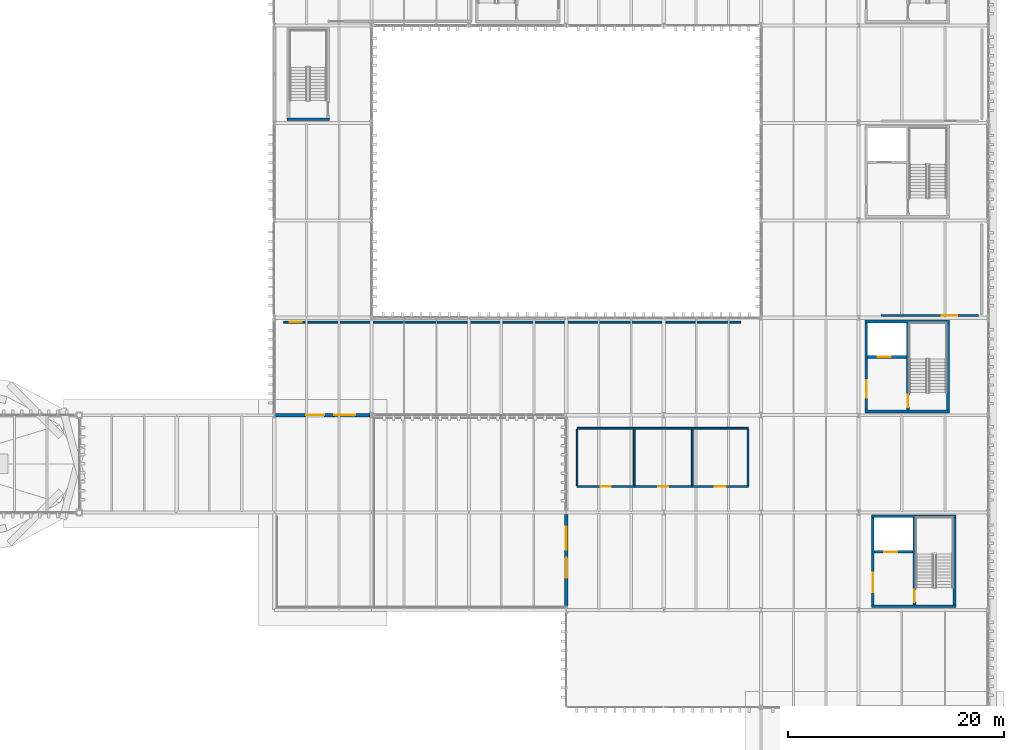
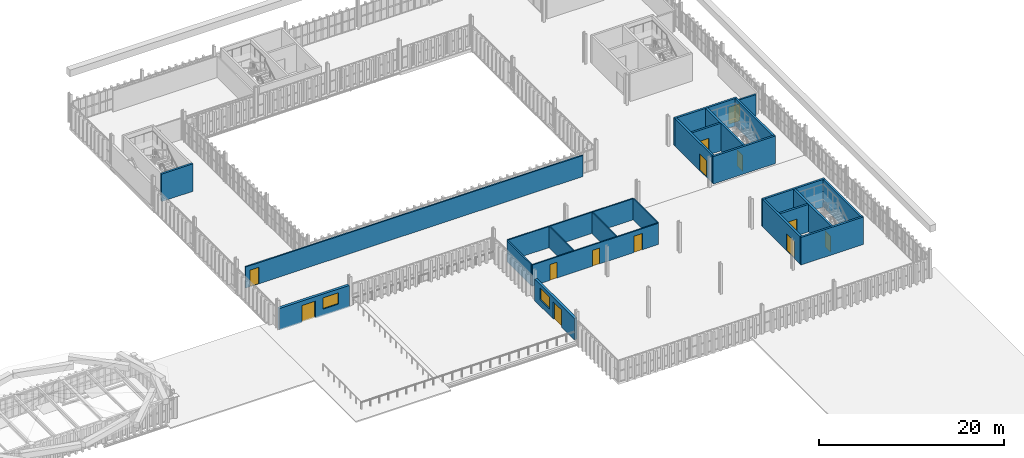
# One storey, part 90 of 102: 23 walls, 13 doors, 2 windows, 15 openings.
"""IFC4 building model written with IfcOpenShell, lengths in metres."""

from ifc_helpers import new_model, si_unit, direction, frame, frame_2d, origin, place, context, subcontext, project, spatial, rectangle, extrude, material, layer, layer_set, type_object, element, fill, save


model = new_model("IFC4")

# Units and contexts
model_context = context("Model", 3, precision=1e-05, world=origin(), true_north=direction((0.0, 1.0)))
body_context = subcontext(model_context, "Body", "Model", "MODEL_VIEW")
ifc_project = project(units=[si_unit("LENGTHUNIT", "METRE"), si_unit("AREAUNIT", "SQUARE_METRE"), si_unit("VOLUMEUNIT", "CUBIC_METRE"), si_unit("PLANEANGLEUNIT", "RADIAN"), si_unit("MASSUNIT", "GRAM", prefix="KILO")], contexts=[model_context])

# Site, building, storey
site_placement = place(None, origin())
site = spatial("IfcSite", under=ifc_project, at=site_placement, CompositionType="ELEMENT")
building_placement = place(site_placement, origin())
building = spatial("IfcBuilding", under=site, at=building_placement, Name="Barlavento Convention Centre", CompositionType="ELEMENT")
storey_placement = place(building_placement, frame((0.0, 0.0, 22.800048828125)))
storey = spatial("IfcBuildingStorey", under=building, at=storey_placement, Name="L04", CompositionType="ELEMENT", Elevation=22.800048828125)

# Wall, openings, door, window
ifc_material_1 = material(Name="Macau dark grey granite cladding on Concrete C40/50", Category="masonry")
ifc_layer_1 = layer(ifc_material_1, 0.320068359375)
ifc_layer_set_1 = layer_set([ifc_layer_1], Name="ARC-WL-EXT-320")
wall_type_1 = type_object("IfcWallType", Name="ARC-WL-EXT-320", PredefinedType="SOLIDWALL", material=ifc_layer_set_1)
wall_1_placement = place(storey_placement, frame((153.0, 36.2451171875, 0.0), z_axis=(0.0, 0.0, 1.0), x_axis=(0.0, 1.0, 0.0)))
wall_1 = element("IfcWall", 1, at=wall_1_placement, inside=storey, type_object=wall_type_1, Name="L04 exterior wall EW01", PredefinedType="SOLIDWALL", context=body_context, shape_type="SweptSolid", body=[
    extrude(rectangle(XDim=8.58984375, YDim=0.320068359375, at=frame_2d((4.294921875, 0.0))), origin(), (0.0, 0.0, 1.0), 2.849853515625),
])
opening_1_placement = place(wall_1_placement, frame((2.715087890625, 0.0, 0.0)))
opening_1 = element("IfcOpeningElement", 2, at=opening_1_placement, cuts=wall_1, Name="Opening TD-401", PredefinedType="OPENING", context=body_context, shape_type="SweptSolid", body=[
    extrude(rectangle(XDim=1.85009765625, YDim=2.300048828125, at=frame_2d((0.925048828125, 1.14990234375))), frame((0.0, 0.169921875, 0.0), z_axis=(0.0, -1.0, 0.0), x_axis=(1.0, 0.0, 0.0)), (0.0, 0.0, 1.0), 0.340087890625),
])
opening_2_placement = place(wall_1_placement, frame((5.31494140625, 0.0, 0.85009765625)))
opening_2 = element("IfcOpeningElement", 3, at=opening_2_placement, cuts=wall_1, Name="Opening WN19", PredefinedType="OPENING", context=body_context, shape_type="SweptSolid", body=[
    extrude(rectangle(XDim=2.14990234375, YDim=1.550048828125, at=frame_2d((1.074951171875, 0.77490234375))), frame((0.0, 0.169921875, 0.0), z_axis=(0.0, -1.0, 0.0), x_axis=(1.0, 0.0, 0.0)), (0.0, 0.0, 1.0), 0.340087890625),
])
ifc_material_2 = material(Name="Anodized aluminium and tempered glass", Category="aluminium")
door_type_1 = type_object("IfcDoorType", Name="ARC-DR-TERR-1850X2300", OperationType="DOUBLE_DOOR_SINGLE_SWING", PredefinedType="DOOR", material=ifc_material_2)
door_1_placement = place(opening_1_placement, origin())
door_1 = element("IfcDoor", 4, at=door_1_placement, inside=storey, type_object=door_type_1, Name="DR-EXT-L04-0062 L04 Dining Terrace access door TD-401", OperationType="DOUBLE_DOOR_SINGLE_SWING", OverallHeight=2.300048828125, OverallWidth=1.85009765625, PredefinedType="DOOR", context=body_context, shape_type="SweptSolid", body=[
    extrude(rectangle(XDim=1.85009765625, YDim=2.300048828125, at=frame_2d((0.925048828125, 1.14990234375))), frame((0.0, 0.02490234375, 0.0), z_axis=(0.0, -1.0, 0.0), x_axis=(1.0, 0.0, 0.0)), (0.0, 0.0, 1.0), 0.050048828125),
])
fill(opening_1, door_1)
ifc_material_3 = material(Name="Double-silver Low-E insulated glass", Category="glass")
window_type_1 = type_object("IfcWindowType", Name="ARC-WN-CONF-2150X1550", PartitioningType="DOUBLE_PANEL_VERTICAL", PredefinedType="WINDOW", material=ifc_material_3)
window_1_placement = place(opening_2_placement, origin())
window_1 = element("IfcWindow", 5, at=window_1_placement, inside=storey, type_object=window_type_1, Name="L04 exterior Low-E window WN19", OverallHeight=1.550048828125, OverallWidth=2.14990234375, PartitioningType="SINGLE_PANEL", PredefinedType="WINDOW", context=body_context, shape_type="SweptSolid", body=[
    extrude(rectangle(XDim=2.14990234375, YDim=1.550048828125, at=frame_2d((1.074951171875, 0.77490234375))), frame((0.0, 0.030029296875, 0.0), z_axis=(0.0, -1.0, 0.0), x_axis=(1.0, 0.0, 0.0)), (0.0, 0.0, 1.0), 0.06005859375),
])
fill(opening_2, window_1)

wall_2_placement = place(storey_placement, frame((126.14501953125, 54.0, 0.0), z_axis=(0.0, 0.0, 1.0), x_axis=(1.0, 0.0, 0.0)))
wall_2 = element("IfcWall", 6, at=wall_2_placement, inside=storey, type_object=wall_type_1, Name="L04 exterior wall EW01", PredefinedType="SOLIDWALL", context=body_context, shape_type="SweptSolid", body=[
    extrude(rectangle(XDim=8.7099609375, YDim=0.320068359375, at=frame_2d((4.35498046875, 0.0))), origin(), (0.0, 0.0, 1.0), 2.849853515625),
])
opening_3_placement = place(wall_2_placement, frame((2.81494140625, 0.0, 0.0)))
opening_3 = element("IfcOpeningElement", 7, at=opening_3_placement, cuts=wall_2, Name="Opening TD-402", PredefinedType="OPENING", context=body_context, shape_type="SweptSolid", body=[
    extrude(rectangle(XDim=1.64990234375, YDim=2.25, at=frame_2d((0.824951171875, 1.125))), frame((0.0, 0.169921875, 0.0), z_axis=(0.0, -1.0, 0.0), x_axis=(1.0, 0.0, 0.0)), (0.0, 0.0, 1.0), 0.340087890625),
])
opening_4_placement = place(wall_2_placement, frame((5.4150390625, 0.0, 0.85009765625)))
opening_4 = element("IfcOpeningElement", 8, at=opening_4_placement, cuts=wall_2, Name="Opening WN20", PredefinedType="OPENING", context=body_context, shape_type="SweptSolid", body=[
    extrude(rectangle(XDim=1.949951171875, YDim=1.5, at=frame_2d((0.97509765625, 0.75))), frame((0.0, 0.169921875, 0.0), z_axis=(0.0, -1.0, 0.0), x_axis=(1.0, 0.0, 0.0)), (0.0, 0.0, 1.0), 0.340087890625),
])
door_type_2 = type_object("IfcDoorType", Name="ARC-DR-TERR-1650X2250", OperationType="DOUBLE_DOOR_SINGLE_SWING", PredefinedType="DOOR", material=ifc_material_2)
door_2_placement = place(opening_3_placement, origin())
door_2 = element("IfcDoor", 9, at=door_2_placement, inside=storey, type_object=door_type_2, Name="DR-EXT-L04-0063 L04 West Roof Terrace access door TD-402", OperationType="DOUBLE_DOOR_SINGLE_SWING", OverallHeight=2.25, OverallWidth=1.64990234375, PredefinedType="DOOR", context=body_context, shape_type="SweptSolid", body=[
    extrude(rectangle(XDim=1.64990234375, YDim=2.25, at=frame_2d((0.824951171875, 1.125))), frame((0.0, 0.02490234375, 0.0), z_axis=(0.0, -1.0, 0.0), x_axis=(1.0, 0.0, 0.0)), (0.0, 0.0, 1.0), 0.050048828125),
])
fill(opening_3, door_2)
window_type_2 = type_object("IfcWindowType", Name="ARC-WN-CONF-1950X1500", PartitioningType="DOUBLE_PANEL_VERTICAL", PredefinedType="WINDOW", material=ifc_material_3)
window_2_placement = place(opening_4_placement, origin())
window_2 = element("IfcWindow", 10, at=window_2_placement, inside=storey, type_object=window_type_2, Name="L04 exterior Low-E window WN20", OverallHeight=1.5, OverallWidth=1.949951171875, PartitioningType="SINGLE_PANEL", PredefinedType="WINDOW", context=body_context, shape_type="SweptSolid", body=[
    extrude(rectangle(XDim=1.949951171875, YDim=1.5, at=frame_2d((0.97509765625, 0.75))), frame((0.0, 0.030029296875, 0.0), z_axis=(0.0, -1.0, 0.0), x_axis=(1.0, 0.0, 0.0)), (0.0, 0.0, 1.0), 0.06005859375),
])
fill(opening_4, window_2)

# Wall, opening, door
ifc_material_4 = material(Name="Concrete C40/50", Category="concrete")
ifc_layer_2 = layer(ifc_material_4, 0.199951171875)
ifc_layer_set_2 = layer_set([ifc_layer_2], Name="ARC-WL-FIRE-200")
wall_type_2 = type_object("IfcWallType", Name="ARC-WL-FIRE-200", PredefinedType="SOLIDWALL", material=ifc_layer_set_2)
wall_3_placement = place(storey_placement, frame((182.06005859375, 63.199951171875, 0.0), z_axis=(0.0, 0.0, 1.0), x_axis=(1.0, 0.0, 0.0)))
wall_3 = element("IfcWall", 11, at=wall_3_placement, inside=storey, type_object=wall_type_2, Name="L04 interior wall FW-01", PredefinedType="SOLIDWALL", context=body_context, shape_type="SweptSolid", body=[
    extrude(rectangle(XDim=9.0400390625, YDim=0.199951171875, at=frame_2d((4.52001953125, 0.0))), origin(), (0.0, 0.0, 1.0), 2.800048828125),
])
opening_5_placement = place(wall_3_placement, frame((5.64990234375, 0.0, 0.0)))
opening_5 = element("IfcOpeningElement", 12, at=opening_5_placement, cuts=wall_3, Name="Opening ID-12", PredefinedType="OPENING", context=body_context, shape_type="SweptSolid", body=[
    extrude(rectangle(XDim=1.39990234375, YDim=2.25, at=frame_2d((0.699951171875, 1.125))), frame((0.0, 0.10986328125, 0.0), z_axis=(0.0, -1.0, 0.0), x_axis=(1.0, 0.0, 0.0)), (0.0, 0.0, 1.0), 0.219970703125),
])
ifc_material_5 = material(Name="Painted galvanized steel", Category="steel")
door_type_3 = type_object("IfcDoorType", Name="ARC-DR-PLANT-1400X2250", OperationType="DOUBLE_DOOR_SINGLE_SWING", PredefinedType="DOOR", material=ifc_material_5)
door_3_placement = place(opening_5_placement, origin())
door_3 = element("IfcDoor", 13, at=door_3_placement, inside=storey, type_object=door_type_3, Name="DR-INT-L04-0240 L04 interior door ID-12", OperationType="DOUBLE_DOOR_SINGLE_SWING", OverallHeight=2.25, OverallWidth=1.39990234375, PredefinedType="DOOR", context=body_context, shape_type="SweptSolid", body=[
    extrude(rectangle(XDim=1.39990234375, YDim=2.25, at=frame_2d((0.699951171875, 1.125))), frame((0.0, 0.02490234375, 0.0), z_axis=(0.0, -1.0, 0.0), x_axis=(1.0, 0.0, 0.0)), (0.0, 0.0, 1.0), 0.050048828125),
])
fill(opening_5, door_3)

ifc_material_6 = material(Name="Fire-rated gypsum partition")
ifc_layer_3 = layer(ifc_material_6, 0.169921875)
ifc_layer_set_3 = layer_set([ifc_layer_3], Name="ARC-WL-PART-170")
wall_type_3 = type_object("IfcWallType", Name="ARC-WL-PART-170", PredefinedType="PARTITIONING", material=ifc_layer_set_3)
wall_4_placement = place(storey_placement, frame((126.89990234375, 62.60009765625, 0.0), z_axis=(0.0, 0.0, 1.0), x_axis=(1.0, 0.0, 0.0)))
wall_4 = element("IfcWall", 14, at=wall_4_placement, inside=storey, type_object=wall_type_3, Name="L04 interior wall PT-02", PredefinedType="PARTITIONING", context=body_context, shape_type="SweptSolid", body=[
    extrude(rectangle(XDim=42.2001953125, YDim=0.169921875, at=frame_2d((21.10009765625, 0.0))), origin(), (0.0, 0.0, 1.0), 2.800048828125),
])
opening_6_placement = place(wall_4_placement, frame((0.550048828125, 0.0, 0.0)))
opening_6 = element("IfcOpeningElement", 15, at=opening_6_placement, cuts=wall_4, Name="Opening ID-05", PredefinedType="OPENING", context=body_context, shape_type="SweptSolid", body=[
    extrude(rectangle(XDim=1.1201171875, YDim=2.199951171875, at=frame_2d((0.56005859375, 1.10009765625))), frame((0.0, 0.094970703125, 0.0), z_axis=(0.0, -1.0, 0.0), x_axis=(1.0, 0.0, 0.0)), (0.0, 0.0, 1.0), 0.18994140625),
])
ifc_material_7 = material(Name="Timber veneer acoustic core", Category="wood")
door_type_4 = type_object("IfcDoorType", Name="ARC-DR-ROOM-1120X2200", OperationType="NOTDEFINED", PredefinedType="DOOR", material=ifc_material_7)
door_4_placement = place(opening_6_placement, origin())
door_4 = element("IfcDoor", 16, at=door_4_placement, inside=storey, type_object=door_type_4, Name="DR-INT-L04-0238 L04 interior door ID-05", OperationType="SINGLE_SWING_LEFT", OverallHeight=2.199951171875, OverallWidth=1.1201171875, PredefinedType="DOOR", context=body_context, shape_type="SweptSolid", body=[
    extrude(rectangle(XDim=1.1201171875, YDim=2.199951171875, at=frame_2d((0.56005859375, 1.10009765625))), frame((0.0, 0.02490234375, 0.0), z_axis=(0.0, -1.0, 0.0), x_axis=(1.0, 0.0, 0.0)), (0.0, 0.0, 1.0), 0.050048828125),
])
fill(opening_6, door_4)

# Wall, openings, doors
ifc_material_8 = material(Name="Sanitary service chase plumbing wall")
ifc_layer_4 = layer(ifc_material_8, 0.159912109375)
ifc_layer_set_4 = layer_set([ifc_layer_4], Name="ARC-WL-PLMB-160")
wall_type_4 = type_object("IfcWallType", Name="ARC-WL-PLMB-160", PredefinedType="PLUMBINGWALL", material=ifc_layer_set_4)
wall_5_placement = place(storey_placement, frame((154.0, 47.39990234375, 0.0), z_axis=(0.0, 0.0, 1.0), x_axis=(1.0, 0.0, 0.0)))
wall_5 = element("IfcWall", 17, at=wall_5_placement, inside=storey, type_object=wall_type_4, Name="L04 interior wall PW-03", PredefinedType="PLUMBINGWALL", context=body_context, shape_type="SweptSolid", body=[
    extrude(rectangle(XDim=15.800048828125, YDim=0.159912109375, at=frame_2d((7.89990234375, 0.0))), origin(), (0.0, 0.0, 1.0), 2.800048828125),
])
opening_7_placement = place(wall_5_placement, frame((2.18994140625, 0.0, 0.0)))
opening_7 = element("IfcOpeningElement", 18, at=opening_7_placement, cuts=wall_5, Name="Opening ID-10", PredefinedType="OPENING", context=body_context, shape_type="SweptSolid", body=[
    extrude(rectangle(XDim=0.89990234375, YDim=2.10009765625, at=frame_2d((0.449951171875, 1.050048828125))), frame((0.0, 0.08984375, 0.0), z_axis=(0.0, -1.0, 0.0), x_axis=(1.0, 0.0, 0.0)), (0.0, 0.0, 1.0), 0.179931640625),
])
opening_8_placement = place(wall_5_placement, frame((7.510009765625, 0.0, 0.0)))
opening_8 = element("IfcOpeningElement", 19, at=opening_8_placement, cuts=wall_5, Name="Opening ID-10", PredefinedType="OPENING", context=body_context, shape_type="SweptSolid", body=[
    extrude(rectangle(XDim=0.89990234375, YDim=2.10009765625, at=frame_2d((0.449951171875, 1.050048828125))), frame((0.0, 0.08984375, 0.0), z_axis=(0.0, -1.0, 0.0), x_axis=(1.0, 0.0, 0.0)), (0.0, 0.0, 1.0), 0.179931640625),
])
opening_9_placement = place(wall_5_placement, frame((12.699951171875, 0.0, 0.0)))
opening_9 = element("IfcOpeningElement", 20, at=opening_9_placement, cuts=wall_5, Name="Opening ID-11", PredefinedType="OPENING", context=body_context, shape_type="SweptSolid", body=[
    extrude(rectangle(XDim=1.0400390625, YDim=2.14990234375, at=frame_2d((0.52001953125, 1.074951171875))), frame((0.0, 0.08984375, 0.0), z_axis=(0.0, -1.0, 0.0), x_axis=(1.0, 0.0, 0.0)), (0.0, 0.0, 1.0), 0.179931640625),
])
door_type_5 = type_object("IfcDoorType", Name="ARC-DR-AWC-1040X2150", OperationType="NOTDEFINED", PredefinedType="DOOR", material=ifc_material_7)
door_5_placement = place(opening_9_placement, origin())
door_5 = element("IfcDoor", 21, at=door_5_placement, inside=storey, type_object=door_type_5, Name="DR-INT-L04-0201 L04 Accessible Dining WC entry door", OperationType="SINGLE_SWING_LEFT", OverallHeight=2.14990234375, OverallWidth=1.0400390625, PredefinedType="DOOR", context=body_context, shape_type="SweptSolid", body=[
    extrude(rectangle(XDim=1.0400390625, YDim=2.14990234375, at=frame_2d((0.52001953125, 1.074951171875))), frame((0.0, 0.02490234375, 0.0), z_axis=(0.0, -1.0, 0.0), x_axis=(1.0, 0.0, 0.0)), (0.0, 0.0, 1.0), 0.050048828125),
])
fill(opening_9, door_5)
door_type_6 = type_object("IfcDoorType", Name="ARC-DR-WC-900X2100", OperationType="NOTDEFINED", PredefinedType="DOOR", material=ifc_material_7)
door_6_placement = place(opening_7_placement, origin())
door_6 = element("IfcDoor", 22, at=door_6_placement, inside=storey, type_object=door_type_6, Name="DR-INT-L04-0199 L04 Male Dining WC entry door", OperationType="SINGLE_SWING_LEFT", OverallHeight=2.10009765625, OverallWidth=0.89990234375, PredefinedType="DOOR", context=body_context, shape_type="SweptSolid", body=[
    extrude(rectangle(XDim=0.89990234375, YDim=2.10009765625, at=frame_2d((0.449951171875, 1.050048828125))), frame((0.0, 0.02490234375, 0.0), z_axis=(0.0, -1.0, 0.0), x_axis=(1.0, 0.0, 0.0)), (0.0, 0.0, 1.0), 0.050048828125),
])
fill(opening_7, door_6)
door_7_placement = place(opening_8_placement, origin())
door_7 = element("IfcDoor", 23, at=door_7_placement, inside=storey, type_object=door_type_6, Name="DR-INT-L04-0200 L04 Female Dining WC entry door", OperationType="SINGLE_SWING_RIGHT", OverallHeight=2.10009765625, OverallWidth=0.89990234375, PredefinedType="DOOR", context=body_context, shape_type="SweptSolid", body=[
    extrude(rectangle(XDim=0.89990234375, YDim=2.10009765625, at=frame_2d((0.449951171875, 1.050048828125))), frame((0.0, 0.02490234375, 0.0), z_axis=(0.0, -1.0, 0.0), x_axis=(1.0, 0.0, 0.0)), (0.0, 0.0, 1.0), 0.050048828125),
])
fill(opening_8, door_7)

# Walls
wall_6_placement = place(storey_placement, frame((154.0, 52.800048828125, 0.0), z_axis=(0.0, 0.0, 1.0), x_axis=(1.0, 0.0, 0.0)))
element("IfcWall", 24, at=wall_6_placement, inside=storey, type_object=wall_type_4, Name="L04 interior wall PW-03", PredefinedType="PLUMBINGWALL", context=body_context, shape_type="SweptSolid", body=[
    extrude(rectangle(XDim=15.800048828125, YDim=0.159912109375, at=frame_2d((7.89990234375, 0.0))), origin(), (0.0, 0.0, 1.0), 2.800048828125),
])
for number, where, z_axis, x_axis, name in (
    (25, (154.0, 47.488037109375, 0.0), (0.0, 0.0, 1.0), (0.0, 1.0, 0.0), "L04 interior wall PW-03"),
    (26, (159.280029296875, 47.488037109375, 0.0), (0.0, 0.0, 1.0), (0.0, 1.0, 0.0), "L04 interior wall PW-03"),
    (27, (164.639892578125, 47.488037109375, 0.0), (0.0, 0.0, 1.0), (0.0, 1.0, 0.0), "L04 interior wall PW-03"),
    (28, (169.800048828125, 47.488037109375, 0.0), (0.0, 0.0, 1.0), (0.0, 1.0, 0.0), "L04 interior wall PW-03"),
):
    element("IfcWall", number, at=place(storey_placement, frame(where, z_axis=z_axis, x_axis=x_axis)), inside=storey, type_object=wall_type_4, Name=name, PredefinedType="PLUMBINGWALL", context=body_context, shape_type="SweptSolid", body=[
        extrude(rectangle(XDim=5.223876953125, YDim=0.159912109375, at=frame_2d((2.61181640625, 0.0))), origin(), (0.0, 0.0, 1.0), 2.800048828125),
    ])

# Wall, opening, door
ifc_material_9 = material(Name="Concrete C50/60", Category="concrete")
ifc_layer_5 = layer(ifc_material_9, 0.25)
ifc_layer_set_5 = layer_set([ifc_layer_5], Name="STR-WL-CORE-250")
wall_type_5 = type_object("IfcWallType", Name="STR-WL-CORE-250", PredefinedType="SHEAR", material=ifc_layer_set_5)
wall_7_placement = place(storey_placement, frame((180.72509765625, 54.469970703125, 0.0), z_axis=(0.0, 0.0, 1.0), x_axis=(0.0, 1.0, 0.0)))
wall_7 = element("IfcWall", 29, at=wall_7_placement, inside=storey, type_object=wall_type_5, Name="L04 interior wall CW-02", PredefinedType="SHEAR", context=body_context, shape_type="SweptSolid", body=[
    extrude(rectangle(XDim=8.06005859375, YDim=0.25, at=frame_2d((4.030029296875, 0.0))), origin(), (0.0, 0.0, 1.0), 3.639892578125),
])
opening_10_placement = place(wall_7_placement, frame((1.14990234375, 0.0, 0.0)))
opening_10 = element("IfcOpeningElement", 30, at=opening_10_placement, cuts=wall_7, Name="Opening FD-02", PredefinedType="OPENING", context=body_context, shape_type="SweptSolid", body=[
    extrude(rectangle(XDim=1.60009765625, YDim=2.199951171875, at=frame_2d((0.800048828125, 1.10009765625))), frame((0.0, 0.135009765625, 0.0), z_axis=(0.0, -1.0, 0.0), x_axis=(1.0, 0.0, 0.0)), (0.0, 0.0, 1.0), 0.27001953125),
])
door_type_7 = type_object("IfcDoorType", Name="ARC-DR-FIRE-1600X2200", OperationType="DOUBLE_DOOR_SINGLE_SWING", PredefinedType="DOOR", material=ifc_material_5)
door_8_placement = place(opening_10_placement, origin())
door_8 = element("IfcDoor", 31, at=door_8_placement, inside=storey, type_object=door_type_7, Name="DR-INT-L04-0072 L04 LP4 lobby fire door", OperationType="DOUBLE_DOOR_SINGLE_SWING", OverallHeight=2.199951171875, OverallWidth=1.60009765625, PredefinedType="DOOR", context=body_context, shape_type="SweptSolid", body=[
    extrude(rectangle(XDim=1.60009765625, YDim=2.199951171875, at=frame_2d((0.800048828125, 1.10009765625))), frame((0.0, 0.02490234375, 0.0), z_axis=(0.0, -1.0, 0.0), x_axis=(1.0, 0.0, 0.0)), (0.0, 0.0, 1.0), 0.050048828125),
])
fill(opening_10, door_8)

# Walls
wall_8_placement = place(storey_placement, frame((188.27490234375, 54.469970703125, 0.0), z_axis=(0.0, 0.0, 1.0), x_axis=(0.0, 1.0, 0.0)))
element("IfcWall", 32, at=wall_8_placement, inside=storey, type_object=wall_type_5, Name="L04 interior wall CW-02", PredefinedType="SHEAR", context=body_context, shape_type="SweptSolid", body=[
    extrude(rectangle(XDim=8.06005859375, YDim=0.25, at=frame_2d((4.030029296875, 0.0))), origin(), (0.0, 0.0, 1.0), 3.639892578125),
])
for number, where, z_axis, x_axis, name in (
    (33, (180.60009765625, 54.344970703125, 0.0), (0.0, 0.0, 1.0), (1.0, 0.0, 0.0), "L04 interior wall CW-02"),
    (34, (180.60009765625, 62.655029296875, 0.0), (0.0, 0.0, 1.0), (1.0, 0.0, 0.0), "L04 interior wall CW-02"),
):
    element("IfcWall", number, at=place(storey_placement, frame(where, z_axis=z_axis, x_axis=x_axis)), inside=storey, type_object=wall_type_5, Name=name, PredefinedType="SHEAR", context=body_context, shape_type="SweptSolid", body=[
        extrude(rectangle(XDim=7.7998046875, YDim=0.25, at=frame_2d((3.89990234375, 0.0))), origin(), (0.0, 0.0, 1.0), 3.639892578125),
    ])

# Wall, opening, door
wall_9_placement = place(storey_placement, frame((184.5849609375, 54.469970703125, 0.0), z_axis=(0.0, 0.0, 1.0), x_axis=(0.0, 1.0, 0.0)))
wall_9 = element("IfcWall", 35, at=wall_9_placement, inside=storey, type_object=wall_type_5, Name="L04 interior wall CW-02", PredefinedType="SHEAR", context=body_context, shape_type="SweptSolid", body=[
    extrude(rectangle(XDim=8.06005859375, YDim=0.25, at=frame_2d((4.030029296875, 0.0))), origin(), (0.0, 0.0, 1.0), 3.639892578125),
])
opening_11_placement = place(wall_9_placement, frame((0.25, 0.0, 0.0)))
opening_11 = element("IfcOpeningElement", 36, at=opening_11_placement, cuts=wall_9, Name="Opening FD-03", PredefinedType="OPENING", context=body_context, shape_type="SweptSolid", body=[
    extrude(rectangle(XDim=1.14990234375, YDim=2.14990234375, at=frame_2d((0.574951171875, 1.074951171875))), frame((0.0, 0.135009765625, 0.0), z_axis=(0.0, -1.0, 0.0), x_axis=(1.0, 0.0, 0.0)), (0.0, 0.0, 1.0), 0.27001953125),
])
door_type_8 = type_object("IfcDoorType", Name="ARC-DR-FIRE-1150X2150", OperationType="NOTDEFINED", PredefinedType="DOOR", material=ifc_material_5)
door_9_placement = place(opening_11_placement, origin())
door_9 = element("IfcDoor", 37, at=door_9_placement, inside=storey, type_object=door_type_8, Name="DR-INT-L04-0070 L04 ST05 stair fire door FD-03", OperationType="SINGLE_SWING_RIGHT", OverallHeight=2.14990234375, OverallWidth=1.14990234375, PredefinedType="DOOR", context=body_context, shape_type="SweptSolid", body=[
    extrude(rectangle(XDim=1.14990234375, YDim=2.14990234375, at=frame_2d((0.574951171875, 1.074951171875))), frame((0.0, 0.02490234375, 0.0), z_axis=(0.0, -1.0, 0.0), x_axis=(1.0, 0.0, 0.0)), (0.0, 0.0, 1.0), 0.050048828125),
])
fill(opening_11, door_9)

wall_10_placement = place(storey_placement, frame((180.85009765625, 59.3701171875, 0.0), z_axis=(0.0, 0.0, 1.0), x_axis=(1.0, 0.0, 0.0)))
wall_10 = element("IfcWall", 38, at=wall_10_placement, inside=storey, type_object=wall_type_5, Name="L04 interior wall CW-02", PredefinedType="SHEAR", context=body_context, shape_type="SweptSolid", body=[
    extrude(rectangle(XDim=3.60986328125, YDim=0.25, at=frame_2d((1.804931640625, 0.0))), origin(), (0.0, 0.0, 1.0), 3.639892578125),
])
opening_12_placement = place(wall_10_placement, frame((0.949951171875, 0.0, 0.0)))
opening_12 = element("IfcOpeningElement", 39, at=opening_12_placement, cuts=wall_10, Name="Opening LD-01", PredefinedType="OPENING", context=body_context, shape_type="SweptSolid", body=[
    extrude(rectangle(XDim=1.199951171875, YDim=2.199951171875, at=frame_2d((0.60009765625, 1.10009765625))), frame((0.0, 0.135009765625, 0.0), z_axis=(0.0, -1.0, 0.0), x_axis=(1.0, 0.0, 0.0)), (0.0, 0.0, 1.0), 0.27001953125),
])
ifc_material_10 = material(Name="Brushed stainless steel", Category="steel")
door_type_9 = type_object("IfcDoorType", Name="ARC-DR-LIFT-1200X2200", OperationType="DOUBLE_DOOR_SLIDING", PredefinedType="DOOR", material=ifc_material_10)
door_10_placement = place(opening_12_placement, origin())
door_10 = element("IfcDoor", 40, at=door_10_placement, inside=storey, type_object=door_type_9, Name="DR-INT-L04-0071 LP4 lift sliding landing door", OperationType="DOUBLE_DOOR_SLIDING", OverallHeight=2.199951171875, OverallWidth=1.199951171875, PredefinedType="DOOR", context=body_context, shape_type="SweptSolid", body=[
    extrude(rectangle(XDim=1.199951171875, YDim=2.199951171875, at=frame_2d((0.60009765625, 1.10009765625))), frame((0.0, 0.02490234375, 0.0), z_axis=(0.0, -1.0, 0.0), x_axis=(1.0, 0.0, 0.0)), (0.0, 0.0, 1.0), 0.050048828125),
])
fill(opening_12, door_10)

wall_11_placement = place(storey_placement, frame((181.324951171875, 36.469970703125, 0.0), z_axis=(0.0, 0.0, 1.0), x_axis=(0.0, 1.0, 0.0)))
wall_11 = element("IfcWall", 41, at=wall_11_placement, inside=storey, type_object=wall_type_5, Name="L04 interior wall CW-02", PredefinedType="SHEAR", context=body_context, shape_type="SweptSolid", body=[
    extrude(rectangle(XDim=8.06005859375, YDim=0.25, at=frame_2d((4.030029296875, 0.0))), origin(), (0.0, 0.0, 1.0), 3.639892578125),
])
opening_13_placement = place(wall_11_placement, frame((1.14990234375, 0.0, 0.0)))
opening_13 = element("IfcOpeningElement", 42, at=opening_13_placement, cuts=wall_11, Name="Opening FD-01", PredefinedType="OPENING", context=body_context, shape_type="SweptSolid", body=[
    extrude(rectangle(XDim=1.800048828125, YDim=2.199951171875, at=frame_2d((0.89990234375, 1.10009765625))), frame((0.0, 0.135009765625, 0.0), z_axis=(0.0, -1.0, 0.0), x_axis=(1.0, 0.0, 0.0)), (0.0, 0.0, 1.0), 0.27001953125),
])
door_type_10 = type_object("IfcDoorType", Name="ARC-DR-FIRE-1800X2200", OperationType="DOUBLE_DOOR_SINGLE_SWING", PredefinedType="DOOR", material=ifc_material_5)
door_11_placement = place(opening_13_placement, origin())
door_11 = element("IfcDoor", 43, at=door_11_placement, inside=storey, type_object=door_type_10, Name="DR-INT-L04-0093 L04 FL2 lobby fire door", OperationType="DOUBLE_DOOR_SINGLE_SWING", OverallHeight=2.199951171875, OverallWidth=1.800048828125, PredefinedType="DOOR", context=body_context, shape_type="SweptSolid", body=[
    extrude(rectangle(XDim=1.800048828125, YDim=2.199951171875, at=frame_2d((0.89990234375, 1.10009765625))), frame((0.0, 0.02490234375, 0.0), z_axis=(0.0, -1.0, 0.0), x_axis=(1.0, 0.0, 0.0)), (0.0, 0.0, 1.0), 0.050048828125),
])
fill(opening_13, door_11)

# Walls
wall_12_placement = place(storey_placement, frame((188.875, 36.469970703125, 0.0), z_axis=(0.0, 0.0, 1.0), x_axis=(0.0, 1.0, 0.0)))
element("IfcWall", 44, at=wall_12_placement, inside=storey, type_object=wall_type_5, Name="L04 interior wall CW-02", PredefinedType="SHEAR", context=body_context, shape_type="SweptSolid", body=[
    extrude(rectangle(XDim=8.06005859375, YDim=0.25, at=frame_2d((4.030029296875, 0.0))), origin(), (0.0, 0.0, 1.0), 3.639892578125),
])
for number, where, z_axis, x_axis, name in (
    (45, (181.199951171875, 36.344970703125, 0.0), (0.0, 0.0, 1.0), (1.0, 0.0, 0.0), "L04 interior wall CW-02"),
    (46, (181.199951171875, 44.655029296875, 0.0), (0.0, 0.0, 1.0), (1.0, 0.0, 0.0), "L04 interior wall CW-02"),
):
    element("IfcWall", number, at=place(storey_placement, frame(where, z_axis=z_axis, x_axis=x_axis)), inside=storey, type_object=wall_type_5, Name=name, PredefinedType="SHEAR", context=body_context, shape_type="SweptSolid", body=[
        extrude(rectangle(XDim=7.800048828125, YDim=0.25, at=frame_2d((3.89990234375, 0.0))), origin(), (0.0, 0.0, 1.0), 3.639892578125),
    ])

# Wall, opening, door
wall_13_placement = place(storey_placement, frame((185.18505859375, 36.469970703125, 0.0), z_axis=(0.0, 0.0, 1.0), x_axis=(0.0, 1.0, 0.0)))
wall_13 = element("IfcWall", 47, at=wall_13_placement, inside=storey, type_object=wall_type_5, Name="L04 interior wall CW-02", PredefinedType="SHEAR", context=body_context, shape_type="SweptSolid", body=[
    extrude(rectangle(XDim=8.06005859375, YDim=0.25, at=frame_2d((4.030029296875, 0.0))), origin(), (0.0, 0.0, 1.0), 3.639892578125),
])
opening_14_placement = place(wall_13_placement, frame((0.25, 0.0, 0.0)))
opening_14 = element("IfcOpeningElement", 48, at=opening_14_placement, cuts=wall_13, Name="Opening FD-03", PredefinedType="OPENING", context=body_context, shape_type="SweptSolid", body=[
    extrude(rectangle(XDim=1.14990234375, YDim=2.14990234375, at=frame_2d((0.574951171875, 1.074951171875))), frame((0.0, 0.135009765625, 0.0), z_axis=(0.0, -1.0, 0.0), x_axis=(1.0, 0.0, 0.0)), (0.0, 0.0, 1.0), 0.27001953125),
])
door_12_placement = place(opening_14_placement, origin())
door_12 = element("IfcDoor", 49, at=door_12_placement, inside=storey, type_object=door_type_8, Name="DR-INT-L04-0091 L04 ST06 stair fire door FD-03", OperationType="SINGLE_SWING_LEFT", OverallHeight=2.14990234375, OverallWidth=1.14990234375, PredefinedType="DOOR", context=body_context, shape_type="SweptSolid", body=[
    extrude(rectangle(XDim=1.14990234375, YDim=2.14990234375, at=frame_2d((0.574951171875, 1.074951171875))), frame((0.0, 0.02490234375, 0.0), z_axis=(0.0, -1.0, 0.0), x_axis=(1.0, 0.0, 0.0)), (0.0, 0.0, 1.0), 0.050048828125),
])
fill(opening_14, door_12)

wall_14_placement = place(storey_placement, frame((181.449951171875, 41.3701171875, 0.0), z_axis=(0.0, 0.0, 1.0), x_axis=(1.0, 0.0, 0.0)))
wall_14 = element("IfcWall", 50, at=wall_14_placement, inside=storey, type_object=wall_type_5, Name="L04 interior wall CW-02", PredefinedType="SHEAR", context=body_context, shape_type="SweptSolid", body=[
    extrude(rectangle(XDim=3.610107421875, YDim=0.25, at=frame_2d((1.80517578125, 0.0))), origin(), (0.0, 0.0, 1.0), 3.639892578125),
])
opening_15_placement = place(wall_14_placement, frame((0.949951171875, 0.0, 0.0)))
opening_15 = element("IfcOpeningElement", 51, at=opening_15_placement, cuts=wall_14, Name="Opening LD-01", PredefinedType="OPENING", context=body_context, shape_type="SweptSolid", body=[
    extrude(rectangle(XDim=1.199951171875, YDim=2.199951171875, at=frame_2d((0.60009765625, 1.10009765625))), frame((0.0, 0.135009765625, 0.0), z_axis=(0.0, -1.0, 0.0), x_axis=(1.0, 0.0, 0.0)), (0.0, 0.0, 1.0), 0.27001953125),
])
door_13_placement = place(opening_15_placement, origin())
door_13 = element("IfcDoor", 52, at=door_13_placement, inside=storey, type_object=door_type_9, Name="DR-INT-L04-0092 FL2 lift sliding landing door", OperationType="DOUBLE_DOOR_SLIDING", OverallHeight=2.199951171875, OverallWidth=1.199951171875, PredefinedType="DOOR", context=body_context, shape_type="SweptSolid", body=[
    extrude(rectangle(XDim=1.199951171875, YDim=2.199951171875, at=frame_2d((0.60009765625, 1.10009765625))), frame((0.0, 0.02490234375, 0.0), z_axis=(0.0, -1.0, 0.0), x_axis=(1.0, 0.0, 0.0)), (0.0, 0.0, 1.0), 0.050048828125),
])
fill(opening_15, door_13)

# Wall
wall_15_placement = place(storey_placement, frame((127.199951171875, 81.344970703125, 0.0), z_axis=(0.0, 0.0, 1.0), x_axis=(1.0, 0.0, 0.0)))
element("IfcWall", 53, at=wall_15_placement, inside=storey, type_object=wall_type_5, Name="L04 interior wall CW-02", PredefinedType="SHEAR", context=body_context, shape_type="SweptSolid", body=[
    extrude(rectangle(XDim=3.900146484375, YDim=0.25, at=frame_2d((1.9501953125, 0.0))), origin(), (0.0, 0.0, 1.0), 3.639892578125),
])

save(model, "model.ifc")
